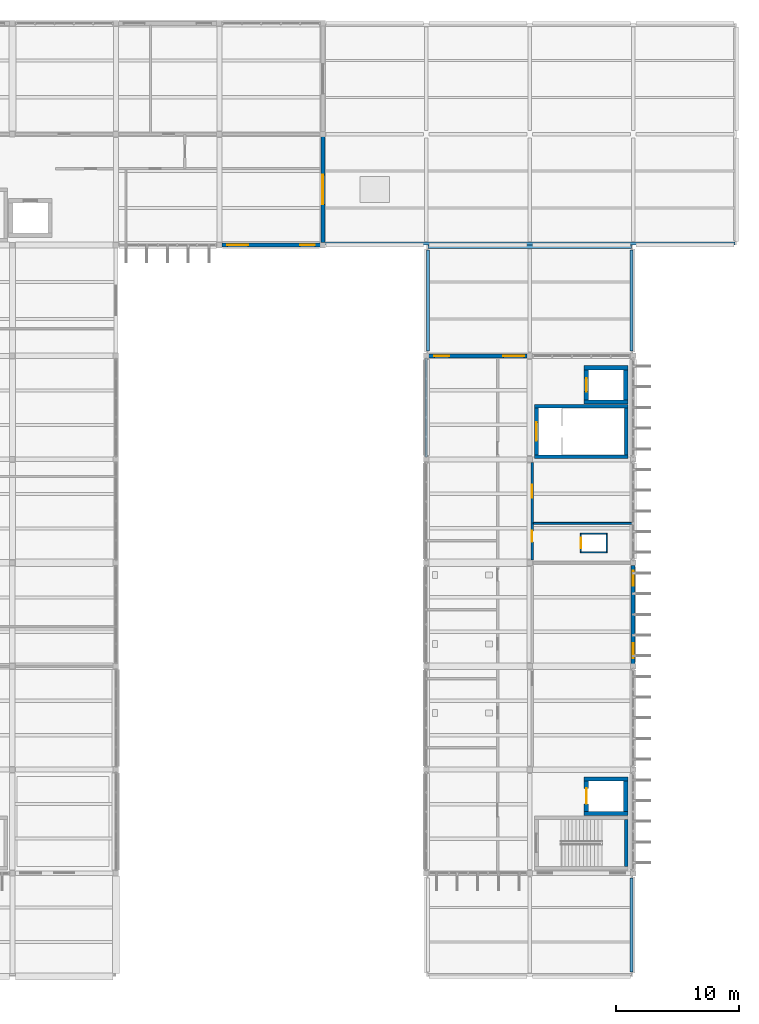
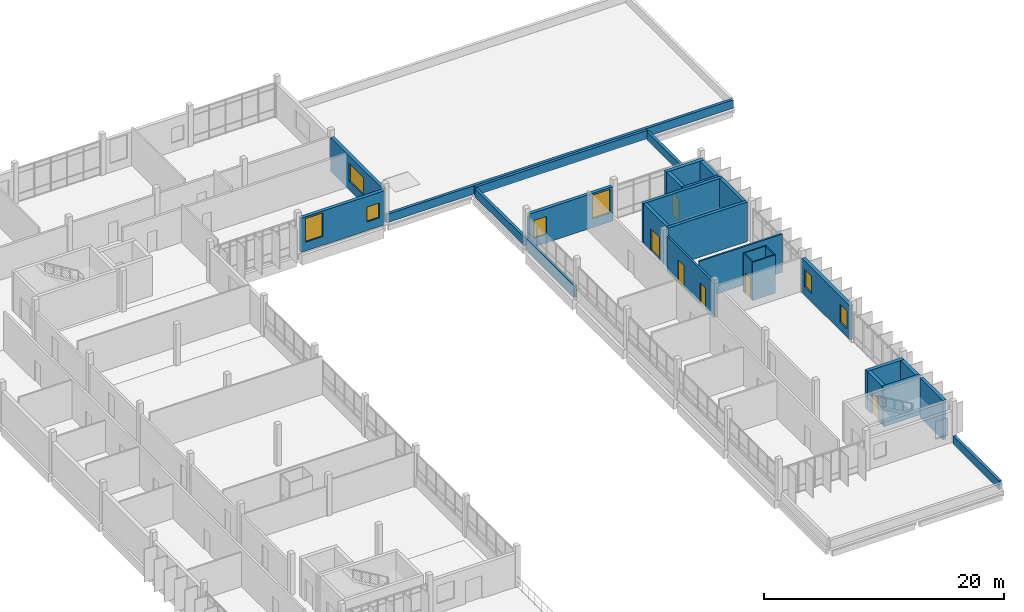
# One storey, part 53 of 62: 29 walls, 7 windows, 6 doors, 13 openings.
"""IFC4 building model written with IfcOpenShell, lengths in metres."""

import ifcopenshell
import ifcopenshell.guid

model = None  # the IFC model being written
_history = None  # IfcOwnerHistory: only IFC2X3 demands one
_inside = {}  # id of a spatial element -> (the spatial element, [elements in it])
_under = {}  # id of a project, library or spatial element -> (it, [spatial elements below it])
_declared = {}  # id of a project -> (the project, [libraries it declares])
_typed = {}  # id of a type object -> (the type object, [elements of that type])
_made_of = {}  # id of a material, layer set ... -> (it, [elements and type objects made of it])


def new_model(schema):
    """Start an empty IFC model of exactly this schema.

    Asked for "IFC4X3", IfcOpenShell would pick the latest addendum, in which some entities
    have other attributes; the version numbers below select the first issue.
    IFC2X3 requires an IfcOwnerHistory on every rooted entity: one is made here for all.
    """
    global model, _history
    if schema == "IFC4X3":
        model = ifcopenshell.file(schema_version=(4, 3, 0, 0))
    else:
        model = ifcopenshell.file(schema=schema)
    _inside.clear()
    _under.clear()
    _declared.clear()
    _typed.clear()
    _made_of.clear()
    _history = None
    if model.schema == "IFC2X3":
        org = make("IfcOrganization", Name="unknown")
        user = make(
            "IfcPersonAndOrganization",
            ThePerson=make("IfcPerson", FamilyName="unknown"),
            TheOrganization=org,
        )
        app = make(
            "IfcApplication",
            ApplicationDeveloper=org,
            Version="unknown",
            ApplicationFullName="unknown",
            ApplicationIdentifier="unknown",
        )
        _history = make(
            "IfcOwnerHistory",
            OwningUser=user,
            OwningApplication=app,
            ChangeAction="ADDED",
            CreationDate=0,
        )
    return model


def make(cls, **values):
    """One entity of the class cls with the attributes given. An attribute that is None is left unset."""
    return model.create_entity(
        cls, **{name: value for name, value in values.items() if value is not None}
    )


def rooted(cls, **values):
    """An entity with a GlobalId (a new one), such as an element, a storey or a relation."""
    return make(cls, GlobalId=ifcopenshell.guid.new(), OwnerHistory=_history, **values)


def si_unit(unit_type, name, prefix=None):
    """IfcSIUnit, for example si_unit("LENGTHUNIT", "METRE", prefix="MILLI")."""
    return make("IfcSIUnit", UnitType=unit_type, Prefix=prefix, Name=name)


def assignment(units):
    """IfcUnitAssignment: the units of a project."""
    return None if units is None else make("IfcUnitAssignment", Units=units)


def point(xyz):
    """IfcCartesianPoint."""
    return None if xyz is None else make("IfcCartesianPoint", Coordinates=xyz)


def direction(xyz):
    """IfcDirection."""
    return None if xyz is None else make("IfcDirection", DirectionRatios=xyz)


def frame(location, z_axis=None, x_axis=None):
    """IfcAxis2Placement3D, a coordinate frame: its origin and axes. An axis left out is left unset."""
    return make(
        "IfcAxis2Placement3D",
        Location=point(location),
        Axis=direction(z_axis),
        RefDirection=direction(x_axis),
    )


def frame_2d(location, x_axis=None):
    """IfcAxis2Placement2D, a coordinate frame in the plane: its origin and x axis."""
    return make(
        "IfcAxis2Placement2D", Location=point(location), RefDirection=direction(x_axis)
    )


def origin():
    """The frame at (0, 0, 0) with its axes left unset."""
    return frame((0.0, 0.0, 0.0))


def place(relative_to, where):
    """IfcLocalPlacement: puts the frame where relative to a parent placement (None: the world)."""
    return make(
        "IfcLocalPlacement", PlacementRelTo=relative_to, RelativePlacement=where
    )


def context(
    kind, dimensions, precision=None, world=None, true_north=None, identifier=None
):
    """IfcGeometricRepresentationContext, for example the 3D "Model" context."""
    return make(
        "IfcGeometricRepresentationContext",
        ContextIdentifier=identifier,
        ContextType=kind,
        CoordinateSpaceDimension=dimensions,
        Precision=precision,
        WorldCoordinateSystem=world,
        TrueNorth=true_north,
    )


def subcontext(parent, identifier, kind, view, scale=None):
    """IfcGeometricRepresentationSubContext, for example "Body" below "Model"."""
    return make(
        "IfcGeometricRepresentationSubContext",
        ContextIdentifier=identifier,
        ContextType=kind,
        ParentContext=parent,
        TargetScale=scale,
        TargetView=view,
    )


def project(units=None, contexts=None):
    """IfcProject with its units and contexts."""
    return rooted(
        "IfcProject",
        Name="project",
        RepresentationContexts=contexts,
        UnitsInContext=assignment(units),
    )


def spatial(cls, under=None, at=None, **own):
    """A site, building, storey or space (cls), placed at a placement, below another one or the project."""
    s = rooted(cls, ObjectPlacement=at, **own)
    if under is not None:
        _under.setdefault(under.id(), (under, []))[1].append(s)
    return s


def profile(cls, at=None, kind="AREA", **sizes):
    """A parametric profile (cls). Its sizes go by their IFC names, for example OverallWidth=200.0."""
    return make(cls, ProfileType=kind, Position=at, **sizes)


def rectangle(**sizes):
    """IfcRectangleProfileDef."""
    return profile("IfcRectangleProfileDef", **sizes)


def extrude(swept, where, along, depth):
    """IfcExtrudedAreaSolid: the profile swept, set in the frame where, extruded along a direction by depth."""
    return make(
        "IfcExtrudedAreaSolid",
        SweptArea=swept,
        Position=where,
        ExtrudedDirection=direction(along),
        Depth=depth,
    )


def shape(context_of_items, identifier, shape_type, items):
    """IfcShapeRepresentation: the items that make up one representation, for example the "Body"."""
    return make(
        "IfcShapeRepresentation",
        ContextOfItems=context_of_items,
        RepresentationIdentifier=identifier,
        RepresentationType=shape_type,
        Items=items,
    )


def material(Name=None, Category=None):
    """IfcMaterial."""
    return make("IfcMaterial", Name=Name, Category=Category)


def layer(
    of_material, thickness, ventilated=None, Name=None, Category=None, Priority=None
):
    """IfcMaterialLayer: one layer of a wall or slab, of a material (None: an air gap)."""
    return make(
        "IfcMaterialLayer",
        Material=of_material,
        LayerThickness=thickness,
        IsVentilated=ventilated,
        Name=Name,
        Category=Category,
        Priority=Priority,
    )


def layer_set(layers, Name=None):
    """IfcMaterialLayerSet."""
    return make("IfcMaterialLayerSet", MaterialLayers=layers, LayerSetName=Name)


def made_of(thing, what):
    """Note that an element or type object is made of a material, layer set ...; save() writes the relation."""
    if what is not None:
        _made_of.setdefault(what.id(), (what, []))[1].append(thing)
    return thing


def type_object(cls, material=None, **own):
    """A type object (cls), such as IfcWallType, which elements share."""
    return made_of(rooted(cls, **own), material)


def element(
    cls,
    number,
    at=None,
    inside=None,
    cuts=None,
    type_object=None,
    material=None,
    context=None,
    identifier="Body",
    shape_type=None,
    held_by="IfcProductDefinitionShape",
    body=None,
    shapes=None,
    **own,
):
    """One element of the class cls, such as IfcWall. Its Tag is "e" and its number.

    at: its placement. inside: the storey or other place that contains it. cuts: it is an
    opening in that element (IfcRelVoidsElement). A single representation is given by context,
    identifier, shape_type and body (its items); several are given by shapes. held_by: the class
    of the entity that holds the representations. save() writes the other relations.
    """
    e = rooted(cls, Tag="e%d" % number, ObjectPlacement=at, **own)
    if body is not None:
        shapes = [shape(context, identifier, shape_type, body)]
    if shapes is not None:
        e.Representation = make(held_by, Representations=shapes)
    if inside is not None:
        _inside.setdefault(inside.id(), (inside, []))[1].append(e)
    if cuts is not None:
        rooted(
            "IfcRelVoidsElement", RelatingBuildingElement=cuts, RelatedOpeningElement=e
        )
    if type_object is not None:
        _typed.setdefault(type_object.id(), (type_object, []))[1].append(e)
    return made_of(e, material)


def fill(opening, filler):
    """IfcRelFillsElement: the door or window that sits in an opening."""
    return rooted(
        "IfcRelFillsElement",
        RelatingOpeningElement=opening,
        RelatedBuildingElement=filler,
    )


def aggregate(whole, parts):
    """IfcRelAggregates: a whole, such as a stair, and the parts it consists of."""
    return rooted("IfcRelAggregates", RelatingObject=whole, RelatedObjects=parts)


def save(model, path):
    """Write the relations noted so far, then the file.

    IfcRelAggregates (storeys below a building ...), IfcRelContainedInSpatialStructure (elements
    in a storey), IfcRelDefinesByType, IfcRelAssociatesMaterial and IfcRelDeclares: one each for
    every whole, place, type object, material and project.
    """
    for whole, parts in _under.values():
        aggregate(whole, parts)
    for where, things in _inside.values():
        rooted(
            "IfcRelContainedInSpatialStructure",
            RelatedElements=things,
            RelatingStructure=where,
        )
    for kind, things in _typed.values():
        rooted("IfcRelDefinesByType", RelatedObjects=things, RelatingType=kind)
    for what, things in _made_of.values():
        rooted("IfcRelAssociatesMaterial", RelatedObjects=things, RelatingMaterial=what)
    for by, libraries in _declared.values():
        rooted("IfcRelDeclares", RelatingContext=by, RelatedDefinitions=libraries)
    model.write(path)


model = new_model("IFC4")

# Units and contexts
model_context = context("Model", 3, precision=1e-05, world=origin(), true_north=direction((0.0, 1.0)))
body_context = subcontext(model_context, "Body", "Model", "MODEL_VIEW")
ifc_project = project(units=[si_unit("LENGTHUNIT", "METRE"), si_unit("AREAUNIT", "SQUARE_METRE"), si_unit("VOLUMEUNIT", "CUBIC_METRE"), si_unit("PLANEANGLEUNIT", "RADIAN"), si_unit("MASSUNIT", "GRAM", prefix="KILO")], contexts=[model_context])

# Site, building, storey
site_placement = place(None, origin())
site = spatial("IfcSite", under=ifc_project, at=site_placement, CompositionType="ELEMENT")
building_placement = place(site_placement, origin())
building = spatial("IfcBuilding", under=site, at=building_placement, Name="Vireocrest Preparatory School", CompositionType="ELEMENT")
storey_placement = place(building_placement, frame((0.0, 0.0, 17.39990234375)))
storey = spatial("IfcBuildingStorey", under=building, at=storey_placement, Name="L04", CompositionType="ELEMENT", Elevation=17.39990234375)

# Wall, openings, doors
ifc_material_1 = material(Name="Gypsum board on cold-formed steel studs", Category="steel")
ifc_layer_1 = layer(ifc_material_1, 0.199951171875)
ifc_layer_set_1 = layer_set([ifc_layer_1], Name="Gypsum board on cold-formed steel studs")
wall_type_1 = type_object("IfcWallType", Name="Corridor One-Hour Fire Partition 200", PredefinedType="PARTITIONING", material=ifc_layer_set_1)
wall_1_placement = place(storey_placement, frame((101.0, 69.235107421875, 0.0), z_axis=(0.0, 0.0, 1.0), x_axis=(0.0, 1.0, 0.0)))
wall_1 = element("IfcWall", 1, at=wall_1_placement, inside=storey, type_object=wall_type_1, Name="Interior Partition W06 IW_L04_0325", PredefinedType="PARTITIONING", context=body_context, shape_type="SweptSolid", body=[
    extrude(rectangle(XDim=7.929931640625, YDim=0.199951171875, at=frame_2d((3.96484375, 0.0))), origin(), (0.0, 0.0, 1.0), 3.47998046875),
])
opening_1_placement = place(wall_1_placement, frame((1.465087890625, 0.0, 0.0)))
opening_1 = element("IfcOpeningElement", 2, at=opening_1_placement, cuts=wall_1, Name="Opening D-L04-E4E02", PredefinedType="OPENING", context=body_context, shape_type="SweptSolid", body=[
    extrude(rectangle(XDim=0.89990234375, YDim=2.10009765625, at=frame_2d((0.449951171875, 1.050048828125))), frame((0.0, 0.10986328125, 0.0), z_axis=(0.0, -1.0, 0.0), x_axis=(1.0, 0.0, 0.0)), (0.0, 0.0, 1.0), 0.219970703125),
])
opening_2_placement = place(wall_1_placement, frame((5.0400390625, 0.0, 0.0)))
opening_2 = element("IfcOpeningElement", 3, at=opening_2_placement, cuts=wall_1, Name="Opening D-L04-E4E03", PredefinedType="OPENING", context=body_context, shape_type="SweptSolid", body=[
    extrude(rectangle(XDim=1.050048828125, YDim=2.199951171875, at=frame_2d((0.52490234375, 1.10009765625))), frame((0.0, 0.10986328125, 0.0), z_axis=(0.0, -1.0, 0.0), x_axis=(1.0, 0.0, 0.0)), (0.0, 0.0, 1.0), 0.219970703125),
])
ifc_material_2 = material(Name="Painted galvanized hollow steel", Category="steel")
door_type_1 = type_object("IfcDoorType", Name="Laboratory Fire Door 1050x2200", OperationType="NOTDEFINED", PredefinedType="DOOR", material=ifc_material_2)
door_1_placement = place(opening_2_placement, origin())
door_1 = element("IfcDoor", 4, at=door_1_placement, inside=storey, type_object=door_type_1, Name="Interior Door D-L04-E4E03", OperationType="SINGLE_SWING_RIGHT", OverallHeight=2.199951171875, OverallWidth=1.050048828125, PredefinedType="DOOR", context=body_context, shape_type="SweptSolid", body=[
    extrude(rectangle(XDim=1.050048828125, YDim=2.199951171875, at=frame_2d((0.52490234375, 1.10009765625))), frame((0.0, 0.02490234375, 0.0), z_axis=(0.0, -1.0, 0.0), x_axis=(1.0, 0.0, 0.0)), (0.0, 0.0, 1.0), 0.050048828125),
])
fill(opening_2, door_1)
ifc_material_3 = material(Name="Solid-core architectural birch timber", Category="wood")
door_type_2 = type_object("IfcDoorType", Name="Office Timber Door 900x2100", OperationType="NOTDEFINED", PredefinedType="DOOR", material=ifc_material_3)
door_2_placement = place(opening_1_placement, origin())
door_2 = element("IfcDoor", 5, at=door_2_placement, inside=storey, type_object=door_type_2, Name="Interior Door D-L04-E4E02", OperationType="SINGLE_SWING_LEFT", OverallHeight=2.10009765625, OverallWidth=0.89990234375, PredefinedType="DOOR", context=body_context, shape_type="SweptSolid", body=[
    extrude(rectangle(XDim=0.89990234375, YDim=2.10009765625, at=frame_2d((0.449951171875, 1.050048828125))), frame((0.0, 0.02490234375, 0.0), z_axis=(0.0, -1.0, 0.0), x_axis=(1.0, 0.0, 0.0)), (0.0, 0.0, 1.0), 0.050048828125),
])
fill(opening_1, door_2)

# Wall, openings, windows
ifc_material_4 = material(Name="Precast white concrete 40 MPa", Category="concrete")
ifc_layer_2 = layer(ifc_material_4, 0.320068359375)
ifc_layer_set_2 = layer_set([ifc_layer_2], Name="Precast white concrete 40 MPa")
wall_type_2 = type_object("IfcWallType", Name="High-Tech Insulated Rainscreen External Wall 320", PredefinedType="SOLIDWALL", material=ifc_layer_set_2)
wall_2_placement = place(storey_placement, frame((75.800048828125, 94.800048828125, 0.0), z_axis=(0.0, 0.0, 1.0), x_axis=(1.0, 0.0, 0.0)))
wall_2 = element("IfcWall", 6, at=wall_2_placement, inside=storey, type_object=wall_type_2, Name="External Wall W12 EW_L04_0357", PredefinedType="SOLIDWALL", context=body_context, shape_type="SweptSolid", body=[
    extrude(rectangle(XDim=8.0, YDim=0.320068359375, at=frame_2d((4.0, 0.0))), origin(), (0.0, 0.0, 1.0), 3.47998046875),
])
opening_3_placement = place(wall_2_placement, frame((0.449951171875, 0.0, 0.89990234375)))
opening_3 = element("IfcOpeningElement", 7, at=opening_3_placement, cuts=wall_2, Name="Opening WN07", PredefinedType="OPENING", context=body_context, shape_type="SweptSolid", body=[
    extrude(rectangle(XDim=1.679931640625, YDim=2.39990234375, at=frame_2d((0.83984375, 1.199951171875))), frame((0.0, 0.169921875, 0.0), z_axis=(0.0, -1.0, 0.0), x_axis=(1.0, 0.0, 0.0)), (0.0, 0.0, 1.0), 0.340087890625),
])
opening_4_placement = place(wall_2_placement, frame((6.35009765625, 0.0, 0.89990234375)))
opening_4 = element("IfcOpeningElement", 8, at=opening_4_placement, cuts=wall_2, Name="Opening WN01", PredefinedType="OPENING", context=body_context, shape_type="SweptSolid", body=[
    extrude(rectangle(XDim=1.199951171875, YDim=1.5, at=frame_2d((0.60009765625, 0.75))), frame((0.0, 0.169921875, 0.0), z_axis=(0.0, -1.0, 0.0), x_axis=(1.0, 0.0, 0.0)), (0.0, 0.0, 1.0), 0.340087890625),
])
ifc_material_5 = material(Name="Thermally broken aluminium EN AW-6063-T6", Category="aluminium")
window_type_1 = type_object("IfcWindowType", Name="Module Lab Window 1680x2400", PartitioningType="SINGLE_PANEL", PredefinedType="WINDOW", material=ifc_material_5)
window_1_placement = place(opening_3_placement, origin())
window_1 = element("IfcWindow", 9, at=window_1_placement, inside=storey, type_object=window_type_1, Name="Window W-L04-179 (WN07)", OverallHeight=2.39990234375, OverallWidth=1.679931640625, PartitioningType="SINGLE_PANEL", PredefinedType="WINDOW", context=body_context, shape_type="SweptSolid", body=[
    extrude(rectangle(XDim=1.679931640625, YDim=2.39990234375, at=frame_2d((0.83984375, 1.199951171875))), frame((0.0, 0.030029296875, 0.0), z_axis=(0.0, -1.0, 0.0), x_axis=(1.0, 0.0, 0.0)), (0.0, 0.0, 1.0), 0.06005859375),
])
fill(opening_3, window_1)
window_type_2 = type_object("IfcWindowType", Name="Office Punched Window 1200x1500", PartitioningType="SINGLE_PANEL", PredefinedType="WINDOW", material=ifc_material_5)
window_2_placement = place(opening_4_placement, origin())
window_2 = element("IfcWindow", 10, at=window_2_placement, inside=storey, type_object=window_type_2, Name="Window W-L04-180 (WN01)", OverallHeight=1.5, OverallWidth=1.199951171875, PartitioningType="SINGLE_PANEL", PredefinedType="WINDOW", context=body_context, shape_type="SweptSolid", body=[
    extrude(rectangle(XDim=1.199951171875, YDim=1.5, at=frame_2d((0.60009765625, 0.75))), frame((0.0, 0.030029296875, 0.0), z_axis=(0.0, -1.0, 0.0), x_axis=(1.0, 0.0, 0.0)), (0.0, 0.0, 1.0), 0.06005859375),
])
fill(opening_4, window_2)

# Wall, opening, window
wall_3_placement = place(storey_placement, frame((84.0, 95.0, 0.0), z_axis=(0.0, 0.0, 1.0), x_axis=(0.0, 1.0, 0.0)))
wall_3 = element("IfcWall", 11, at=wall_3_placement, inside=storey, type_object=wall_type_2, Name="External Wall W12 EW_L04_0358", PredefinedType="SOLIDWALL", context=body_context, shape_type="SweptSolid", body=[
    extrude(rectangle(XDim=8.60009765625, YDim=0.320068359375, at=frame_2d((4.300048828125, 0.0))), origin(), (0.0, 0.0, 1.0), 3.47998046875),
])
opening_5_placement = place(wall_3_placement, frame((3.10009765625, 0.0, 0.89990234375)))
opening_5 = element("IfcOpeningElement", 12, at=opening_5_placement, cuts=wall_3, Name="Opening WN12", PredefinedType="OPENING", context=body_context, shape_type="SweptSolid", body=[
    extrude(rectangle(XDim=2.39990234375, YDim=1.800048828125, at=frame_2d((1.199951171875, 0.89990234375))), frame((0.0, 0.169921875, 0.0), z_axis=(0.0, -1.0, 0.0), x_axis=(1.0, 0.0, 0.0)), (0.0, 0.0, 1.0), 0.340087890625),
])
window_type_3 = type_object("IfcWindowType", Name="Classroom Paired Window 2400x1800", PartitioningType="DOUBLE_PANEL_VERTICAL", PredefinedType="WINDOW", material=ifc_material_5)
window_3_placement = place(opening_5_placement, origin())
window_3 = element("IfcWindow", 13, at=window_3_placement, inside=storey, type_object=window_type_3, Name="Window W-L04-181 (WN12)", OverallHeight=1.800048828125, OverallWidth=2.39990234375, PartitioningType="SINGLE_PANEL", PredefinedType="WINDOW", context=body_context, shape_type="SweptSolid", body=[
    extrude(rectangle(XDim=2.39990234375, YDim=1.800048828125, at=frame_2d((1.199951171875, 0.89990234375))), frame((0.0, 0.030029296875, 0.0), z_axis=(0.0, -1.0, 0.0), x_axis=(1.0, 0.0, 0.0)), (0.0, 0.0, 1.0), 0.06005859375),
])
fill(opening_5, window_3)

# Wall, openings, windows
wall_4_placement = place(storey_placement, frame((109.199951171875, 60.800048828125, 0.0), z_axis=(0.0, 0.0, 1.0), x_axis=(0.0, 1.0, 0.0)))
wall_4 = element("IfcWall", 14, at=wall_4_placement, inside=storey, type_object=wall_type_2, Name="External Wall W12 EW_L04_0390", PredefinedType="SOLIDWALL", context=body_context, shape_type="SweptSolid", body=[
    extrude(rectangle(XDim=8.0, YDim=0.320068359375, at=frame_2d((4.0, 0.0))), origin(), (0.0, 0.0, 1.0), 3.47998046875),
])
opening_6_placement = place(wall_4_placement, frame((0.449951171875, 0.0, 0.85009765625)))
opening_6 = element("IfcOpeningElement", 15, at=opening_6_placement, cuts=wall_4, Name="Opening WN02", PredefinedType="OPENING", context=body_context, shape_type="SweptSolid", body=[
    extrude(rectangle(XDim=1.199951171875, YDim=1.800048828125, at=frame_2d((0.60009765625, 0.89990234375))), frame((0.0, 0.169921875, 0.0), z_axis=(0.0, -1.0, 0.0), x_axis=(1.0, 0.0, 0.0)), (0.0, 0.0, 1.0), 0.340087890625),
])
opening_7_placement = place(wall_4_placement, frame((6.35009765625, 0.0, 0.85009765625)))
opening_7 = element("IfcOpeningElement", 16, at=opening_7_placement, cuts=wall_4, Name="Opening WN02", PredefinedType="OPENING", context=body_context, shape_type="SweptSolid", body=[
    extrude(rectangle(XDim=1.199951171875, YDim=1.800048828125, at=frame_2d((0.60009765625, 0.89990234375))), frame((0.0, 0.169921875, 0.0), z_axis=(0.0, -1.0, 0.0), x_axis=(1.0, 0.0, 0.0)), (0.0, 0.0, 1.0), 0.340087890625),
])
window_type_4 = type_object("IfcWindowType", Name="Counseling Window 1200x1800", PartitioningType="SINGLE_PANEL", PredefinedType="WINDOW", material=ifc_material_5)
window_4_placement = place(opening_6_placement, origin())
window_4 = element("IfcWindow", 17, at=window_4_placement, inside=storey, type_object=window_type_4, Name="Window W-L04-194 (WN02)", OverallHeight=1.800048828125, OverallWidth=1.199951171875, PartitioningType="SINGLE_PANEL", PredefinedType="WINDOW", context=body_context, shape_type="SweptSolid", body=[
    extrude(rectangle(XDim=1.199951171875, YDim=1.800048828125, at=frame_2d((0.60009765625, 0.89990234375))), frame((0.0, 0.030029296875, 0.0), z_axis=(0.0, -1.0, 0.0), x_axis=(1.0, 0.0, 0.0)), (0.0, 0.0, 1.0), 0.06005859375),
])
fill(opening_6, window_4)
window_5_placement = place(opening_7_placement, origin())
window_5 = element("IfcWindow", 18, at=window_5_placement, inside=storey, type_object=window_type_4, Name="Window W-L04-195 (WN02)", OverallHeight=1.800048828125, OverallWidth=1.199951171875, PartitioningType="SINGLE_PANEL", PredefinedType="WINDOW", context=body_context, shape_type="SweptSolid", body=[
    extrude(rectangle(XDim=1.199951171875, YDim=1.800048828125, at=frame_2d((0.60009765625, 0.89990234375))), frame((0.0, 0.030029296875, 0.0), z_axis=(0.0, -1.0, 0.0), x_axis=(1.0, 0.0, 0.0)), (0.0, 0.0, 1.0), 0.06005859375),
])
fill(opening_7, window_5)

wall_5_placement = place(storey_placement, frame((92.60009765625, 85.800048828125, 0.0), z_axis=(0.0, 0.0, 1.0), x_axis=(1.0, 0.0, 0.0)))
wall_5 = element("IfcWall", 19, at=wall_5_placement, inside=storey, type_object=wall_type_2, Name="External Wall W12 EW_L04_0393", PredefinedType="SOLIDWALL", context=body_context, shape_type="SweptSolid", body=[
    extrude(rectangle(XDim=8.0, YDim=0.320068359375, at=frame_2d((4.0, 0.0))), origin(), (0.0, 0.0, 1.0), 3.47998046875),
])
opening_8_placement = place(wall_5_placement, frame((0.449951171875, 0.0, 0.89990234375)))
opening_8 = element("IfcOpeningElement", 20, at=opening_8_placement, cuts=wall_5, Name="Opening WN02", PredefinedType="OPENING", context=body_context, shape_type="SweptSolid", body=[
    extrude(rectangle(XDim=1.199951171875, YDim=1.800048828125, at=frame_2d((0.60009765625, 0.89990234375))), frame((0.0, 0.169921875, 0.0), z_axis=(0.0, -1.0, 0.0), x_axis=(1.0, 0.0, 0.0)), (0.0, 0.0, 1.0), 0.340087890625),
])
opening_9_placement = place(wall_5_placement, frame((6.070068359375, 0.0, 0.89990234375)))
opening_9 = element("IfcOpeningElement", 21, at=opening_9_placement, cuts=wall_5, Name="Opening WN07", PredefinedType="OPENING", context=body_context, shape_type="SweptSolid", body=[
    extrude(rectangle(XDim=1.679931640625, YDim=2.39990234375, at=frame_2d((0.83984375, 1.199951171875))), frame((0.0, 0.169921875, 0.0), z_axis=(0.0, -1.0, 0.0), x_axis=(1.0, 0.0, 0.0)), (0.0, 0.0, 1.0), 0.340087890625),
])
window_6_placement = place(opening_8_placement, origin())
window_6 = element("IfcWindow", 22, at=window_6_placement, inside=storey, type_object=window_type_4, Name="Window W-L04-196 (WN02)", OverallHeight=1.800048828125, OverallWidth=1.199951171875, PartitioningType="SINGLE_PANEL", PredefinedType="WINDOW", context=body_context, shape_type="SweptSolid", body=[
    extrude(rectangle(XDim=1.199951171875, YDim=1.800048828125, at=frame_2d((0.60009765625, 0.89990234375))), frame((0.0, 0.030029296875, 0.0), z_axis=(0.0, -1.0, 0.0), x_axis=(1.0, 0.0, 0.0)), (0.0, 0.0, 1.0), 0.06005859375),
])
fill(opening_8, window_6)
window_7_placement = place(opening_9_placement, origin())
window_7 = element("IfcWindow", 23, at=window_7_placement, inside=storey, type_object=window_type_1, Name="Window W-L04-197 (WN07)", OverallHeight=2.39990234375, OverallWidth=1.679931640625, PartitioningType="SINGLE_PANEL", PredefinedType="WINDOW", context=body_context, shape_type="SweptSolid", body=[
    extrude(rectangle(XDim=1.679931640625, YDim=2.39990234375, at=frame_2d((0.83984375, 1.199951171875))), frame((0.0, 0.030029296875, 0.0), z_axis=(0.0, -1.0, 0.0), x_axis=(1.0, 0.0, 0.0)), (0.0, 0.0, 1.0), 0.06005859375),
])
fill(opening_9, window_7)

# Walls
ifc_layer_3 = layer(ifc_material_4, 0.260009765625)
ifc_layer_set_3 = layer_set([ifc_layer_3], Name="Precast white concrete 40 MPa")
wall_type_3 = type_object("IfcWallType", Name="Insulated Roof Parapet Wall 260", PredefinedType="PARAPET", material=ifc_layer_set_3)
wall_6_placement = place(storey_placement, frame((109.070068359375, 35.7900390625, 0.0), z_axis=(0.0, 0.0, 1.0), x_axis=(0.0, 1.0, 0.0)))
element("IfcWall", 24, at=wall_6_placement, inside=storey, type_object=wall_type_3, Name="Roof Parapet W09 L04_EAST_SETBACK_ROOF-19", PredefinedType="PARAPET", context=body_context, shape_type="SweptSolid", body=[
    extrude(rectangle(XDim=7.619873046875, YDim=0.260009765625, at=frame_2d((3.81005859375, 0.0))), origin(), (0.0, 0.0, 1.0), 0.85009765625),
])
wall_7_placement = place(storey_placement, frame((92.530029296875, 94.669921875, 0.0), z_axis=(0.0, 0.0, 1.0), x_axis=(1.0, 0.0, 0.0)))
element("IfcWall", 25, at=wall_7_placement, inside=storey, type_object=wall_type_3, Name="Roof Parapet W09 L04_EAST_NORTH_ROOF-20", PredefinedType="PARAPET", context=body_context, shape_type="SweptSolid", body=[
    extrude(rectangle(XDim=16.5400390625, YDim=0.260009765625, at=frame_2d((8.27001953125, 0.0))), origin(), (0.0, 0.0, 1.0), 0.85009765625),
])
for number, where, z_axis, x_axis, name in (
    (26, (92.530029296875, 86.18994140625, 0.0), (0.0, 0.0, 1.0), (0.0, 1.0, 0.0), "Roof Parapet W09 L04_EAST_NORTH_ROOF-21"),
    (27, (109.070068359375, 86.18994140625, 0.0), (0.0, 0.0, 1.0), (0.0, 1.0, 0.0), "Roof Parapet W09 L04_EAST_NORTH_ROOF-22"),
):
    element("IfcWall", number, at=place(storey_placement, frame(where, z_axis=z_axis, x_axis=x_axis)), inside=storey, type_object=wall_type_3, Name=name, PredefinedType="PARAPET", context=body_context, shape_type="SweptSolid", body=[
        extrude(rectangle(XDim=8.219970703125, YDim=0.260009765625, at=frame_2d((4.10986328125, 0.0))), origin(), (0.0, 0.0, 1.0), 0.85009765625),
    ])
wall_8_placement = place(storey_placement, frame((84.1298828125, 94.929931640625, 0.0), z_axis=(0.0, 0.0, 1.0), x_axis=(1.0, 0.0, 0.0)))
element("IfcWall", 28, at=wall_8_placement, inside=storey, type_object=wall_type_3, Name="Roof Parapet W09 L04_NORTH_EAST_ROOF-23", PredefinedType="PARAPET", context=body_context, shape_type="SweptSolid", body=[
    extrude(rectangle(XDim=33.340087890625, YDim=0.260009765625, at=frame_2d((16.669921875, 0.0))), origin(), (0.0, 0.0, 1.0), 0.85009765625),
])
ifc_layer_4 = layer(ifc_material_1, 0.159912109375)
ifc_layer_set_4 = layer_set([ifc_layer_4], Name="Gypsum board on cold-formed steel studs")
wall_type_4 = type_object("IfcWallType", Name="Laboratory Wet-Service Partition Wall 160", PredefinedType="PARTITIONING", material=ifc_layer_set_4)
wall_9_placement = place(storey_placement, frame((101.10498046875, 72.199951171875, 0.0), z_axis=(0.0, 0.0, 1.0), x_axis=(1.0, 0.0, 0.0)))
element("IfcWall", 29, at=wall_9_placement, inside=storey, type_object=wall_type_4, Name="Interior Partition W04 IW_L04_0322", PredefinedType="PARTITIONING", context=body_context, shape_type="SweptSolid", body=[
    extrude(rectangle(XDim=7.989990234375, YDim=0.159912109375, at=frame_2d((3.9951171875, 0.0))), origin(), (0.0, 0.0, 1.0), 3.900146484375),
])
ifc_layer_5 = layer(ifc_material_1, 0.10009765625)
ifc_layer_set_5 = layer_set([ifc_layer_5], Name="Gypsum board on cold-formed steel studs")
wall_type_5 = type_object("IfcWallType", Name="Riser Shaft Lining Wall 100", PredefinedType="PARTITIONING", material=ifc_layer_set_5)
for number, where, z_axis, x_axis, name in (
    (30, (104.89990234375, 69.85009765625, 0.0), (0.0, 0.0, 1.0), (1.0, 0.0, 0.0), "MEP Riser Shaft Wall W01 EAST_MEP-L04-S"),
    (31, (104.89990234375, 71.35009765625, 0.0), (0.0, 0.0, 1.0), (1.0, 0.0, 0.0), "MEP Riser Shaft Wall W01 EAST_MEP-L04-N"),
):
    element("IfcWall", number, at=place(storey_placement, frame(where, z_axis=z_axis, x_axis=x_axis)), inside=storey, type_object=wall_type_5, Name=name, PredefinedType="PARTITIONING", context=body_context, shape_type="SweptSolid", body=[
        extrude(rectangle(XDim=2.2001953125, YDim=0.10009765625, at=frame_2d((1.10009765625, 0.0))), origin(), (0.0, 0.0, 1.0), 3.900146484375),
    ])

# Wall, opening, door
wall_10_placement = place(storey_placement, frame((104.949951171875, 69.89990234375, 0.0), z_axis=(0.0, 0.0, 1.0), x_axis=(0.0, 1.0, 0.0)))
wall_10 = element("IfcWall", 32, at=wall_10_placement, inside=storey, type_object=wall_type_5, Name="MEP Riser Shaft Wall W01 EAST_MEP-L04-W", PredefinedType="PARTITIONING", context=body_context, shape_type="SweptSolid", body=[
    extrude(rectangle(XDim=1.400146484375, YDim=0.10009765625, at=frame_2d((0.7001953125, 0.0))), origin(), (0.0, 0.0, 1.0), 3.900146484375),
])
opening_10_placement = place(wall_10_placement, frame((0.27490234375, 0.0, 0.0)))
opening_10 = element("IfcOpeningElement", 33, at=opening_10_placement, cuts=wall_10, Name="Opening D-L04-RSE", PredefinedType="OPENING", context=body_context, shape_type="SweptSolid", body=[
    extrude(rectangle(XDim=0.85009765625, YDim=2.050048828125, at=frame_2d((0.425048828125, 1.02490234375))), frame((0.0, 0.06005859375, 0.0), z_axis=(0.0, -1.0, 0.0), x_axis=(1.0, 0.0, 0.0)), (0.0, 0.0, 1.0), 0.1201171875),
])
door_type_3 = type_object("IfcDoorType", Name="Riser Access Steel Door 850x2050", OperationType="NOTDEFINED", PredefinedType="DOOR", material=ifc_material_2)
door_3_placement = place(opening_10_placement, origin())
door_3 = element("IfcDoor", 34, at=door_3_placement, inside=storey, type_object=door_type_3, Name="Riser Shaft Access Door D-L04-RSE", OperationType="SINGLE_SWING_LEFT", OverallHeight=2.050048828125, OverallWidth=0.85009765625, PredefinedType="DOOR", context=body_context, shape_type="SweptSolid", body=[
    extrude(rectangle(XDim=0.85009765625, YDim=2.050048828125, at=frame_2d((0.425048828125, 1.02490234375))), frame((0.0, 0.02490234375, 0.0), z_axis=(0.0, -1.0, 0.0), x_axis=(1.0, 0.0, 0.0)), (0.0, 0.0, 1.0), 0.050048828125),
])
fill(opening_10, door_3)

# Walls
wall_11_placement = place(storey_placement, frame((107.050048828125, 69.89990234375, 0.0), z_axis=(0.0, 0.0, 1.0), x_axis=(0.0, 1.0, 0.0)))
element("IfcWall", 35, at=wall_11_placement, inside=storey, type_object=wall_type_5, Name="MEP Riser Shaft Wall W01 EAST_MEP-L04-E", PredefinedType="PARTITIONING", context=body_context, shape_type="SweptSolid", body=[
    extrude(rectangle(XDim=1.400146484375, YDim=0.10009765625, at=frame_2d((0.7001953125, 0.0))), origin(), (0.0, 0.0, 1.0), 3.900146484375),
])
ifc_material_6 = material(Name="Concrete 45 MPa", Category="concrete")
ifc_layer_6 = layer(ifc_material_6, 0.35009765625)
ifc_layer_set_6 = layer_set([ifc_layer_6], Name="Concrete 45 MPa")
wall_type_6 = type_object("IfcWallType", Name="Two-Hour RC Lift Core Shear Wall 350", PredefinedType="SHEAR", material=ifc_layer_set_6)
for number, where, z_axis, x_axis, name in (
    (36, (105.22509765625, 48.64990234375, 0.0), (0.0, 0.0, 1.0), (1.0, 0.0, 0.0), "Lift Core Shear Wall LF2 L04-S"),
    (37, (105.22509765625, 51.449951171875, 0.0), (0.0, 0.0, 1.0), (1.0, 0.0, 0.0), "Lift Core Shear Wall LF2 L04-N"),
):
    element("IfcWall", number, at=place(storey_placement, frame(where, z_axis=z_axis, x_axis=x_axis)), inside=storey, type_object=wall_type_6, Name=name, PredefinedType="SHEAR", context=body_context, shape_type="SweptSolid", body=[
        extrude(rectangle(XDim=3.5498046875, YDim=0.35009765625, at=frame_2d((1.77490234375, 0.0))), origin(), (0.0, 0.0, 1.0), 3.920166015625),
    ])

# Wall, opening, door
wall_12_placement = place(storey_placement, frame((105.39990234375, 48.824951171875, 0.0), z_axis=(0.0, 0.0, 1.0), x_axis=(0.0, 1.0, 0.0)))
wall_12 = element("IfcWall", 38, at=wall_12_placement, inside=storey, type_object=wall_type_6, Name="Lift Core Shear Wall LF2 L04-W", PredefinedType="SHEAR", context=body_context, shape_type="SweptSolid", body=[
    extrude(rectangle(XDim=2.449951171875, YDim=0.35009765625, at=frame_2d((1.22509765625, 0.0))), origin(), (0.0, 0.0, 1.0), 3.920166015625),
])
opening_11_placement = place(wall_12_placement, frame((0.60009765625, 0.0, 0.0)))
opening_11 = element("IfcOpeningElement", 39, at=opening_11_placement, cuts=wall_12, Name="Opening LD-LF2-L04", PredefinedType="OPENING", context=body_context, shape_type="SweptSolid", body=[
    extrude(rectangle(XDim=1.25, YDim=2.25, at=frame_2d((0.625, 1.125))), frame((0.0, 0.18505859375, 0.0), z_axis=(0.0, -1.0, 0.0), x_axis=(1.0, 0.0, 0.0)), (0.0, 0.0, 1.0), 0.3701171875),
])
door_type_4 = type_object("IfcDoorType", Name="Stretcher Lift Landing Sliding Door 1250x2250", OperationType="DOUBLE_DOOR_SLIDING", PredefinedType="DOOR", material=ifc_material_2)
door_4_placement = place(opening_11_placement, origin())
door_4 = element("IfcDoor", 40, at=door_4_placement, inside=storey, type_object=door_type_4, Name="Lift Landing Door LD-LF2-L04", OperationType="DOUBLE_DOOR_SLIDING", OverallHeight=2.25, OverallWidth=1.25, PredefinedType="DOOR", context=body_context, shape_type="SweptSolid", body=[
    extrude(rectangle(XDim=1.25, YDim=2.25, at=frame_2d((0.625, 1.125))), frame((0.0, 0.02490234375, 0.0), z_axis=(0.0, -1.0, 0.0), x_axis=(1.0, 0.0, 0.0)), (0.0, 0.0, 1.0), 0.050048828125),
])
fill(opening_11, door_4)

# Walls
wall_13_placement = place(storey_placement, frame((108.60009765625, 48.824951171875, 0.0), z_axis=(0.0, 0.0, 1.0), x_axis=(0.0, 1.0, 0.0)))
element("IfcWall", 41, at=wall_13_placement, inside=storey, type_object=wall_type_6, Name="Lift Core Shear Wall LF2 L04-E", PredefinedType="SHEAR", context=body_context, shape_type="SweptSolid", body=[
    extrude(rectangle(XDim=2.449951171875, YDim=0.35009765625, at=frame_2d((1.22509765625, 0.0))), origin(), (0.0, 0.0, 1.0), 3.920166015625),
])
for number, where, z_axis, x_axis, name in (
    (42, (105.22509765625, 82.050048828125, 0.0), (0.0, 0.0, 1.0), (1.0, 0.0, 0.0), "Lift Core Shear Wall LF4 L04-S"),
    (43, (105.22509765625, 84.85009765625, 0.0), (0.0, 0.0, 1.0), (1.0, 0.0, 0.0), "Lift Core Shear Wall LF4 L04-N"),
):
    element("IfcWall", number, at=place(storey_placement, frame(where, z_axis=z_axis, x_axis=x_axis)), inside=storey, type_object=wall_type_6, Name=name, PredefinedType="SHEAR", context=body_context, shape_type="SweptSolid", body=[
        extrude(rectangle(XDim=3.5498046875, YDim=0.35009765625, at=frame_2d((1.77490234375, 0.0))), origin(), (0.0, 0.0, 1.0), 3.920166015625),
    ])

# Wall, opening, door
wall_14_placement = place(storey_placement, frame((105.39990234375, 82.22509765625, 0.0), z_axis=(0.0, 0.0, 1.0), x_axis=(0.0, 1.0, 0.0)))
wall_14 = element("IfcWall", 44, at=wall_14_placement, inside=storey, type_object=wall_type_6, Name="Lift Core Shear Wall LF4 L04-W", PredefinedType="SHEAR", context=body_context, shape_type="SweptSolid", body=[
    extrude(rectangle(XDim=2.449951171875, YDim=0.35009765625, at=frame_2d((1.22509765625, 0.0))), origin(), (0.0, 0.0, 1.0), 3.920166015625),
])
opening_12_placement = place(wall_14_placement, frame((0.675048828125, 0.0, 0.0)))
opening_12 = element("IfcOpeningElement", 45, at=opening_12_placement, cuts=wall_14, Name="Opening LD-LF4-L04", PredefinedType="OPENING", context=body_context, shape_type="SweptSolid", body=[
    extrude(rectangle(XDim=1.10009765625, YDim=2.199951171875, at=frame_2d((0.550048828125, 1.10009765625))), frame((0.0, 0.18505859375, 0.0), z_axis=(0.0, -1.0, 0.0), x_axis=(1.0, 0.0, 0.0)), (0.0, 0.0, 1.0), 0.3701171875),
])
door_type_5 = type_object("IfcDoorType", Name="Lift Landing Sliding Door 1100x2200", OperationType="DOUBLE_DOOR_SLIDING", PredefinedType="DOOR", material=ifc_material_2)
door_5_placement = place(opening_12_placement, origin())
door_5 = element("IfcDoor", 46, at=door_5_placement, inside=storey, type_object=door_type_5, Name="Lift Landing Door LD-LF4-L04", OperationType="DOUBLE_DOOR_SLIDING", OverallHeight=2.199951171875, OverallWidth=1.10009765625, PredefinedType="DOOR", context=body_context, shape_type="SweptSolid", body=[
    extrude(rectangle(XDim=1.10009765625, YDim=2.199951171875, at=frame_2d((0.550048828125, 1.10009765625))), frame((0.0, 0.02490234375, 0.0), z_axis=(0.0, -1.0, 0.0), x_axis=(1.0, 0.0, 0.0)), (0.0, 0.0, 1.0), 0.050048828125),
])
fill(opening_12, door_5)

# Walls
wall_15_placement = place(storey_placement, frame((108.60009765625, 82.22509765625, 0.0), z_axis=(0.0, 0.0, 1.0), x_axis=(0.0, 1.0, 0.0)))
element("IfcWall", 47, at=wall_15_placement, inside=storey, type_object=wall_type_6, Name="Lift Core Shear Wall LF4 L04-E", PredefinedType="SHEAR", context=body_context, shape_type="SweptSolid", body=[
    extrude(rectangle(XDim=2.449951171875, YDim=0.35009765625, at=frame_2d((1.22509765625, 0.0))), origin(), (0.0, 0.0, 1.0), 3.920166015625),
])
ifc_layer_7 = layer(ifc_material_6, 0.300048828125)
ifc_layer_set_7 = layer_set([ifc_layer_7], Name="Concrete 45 MPa")
wall_type_7 = type_object("IfcWallType", Name="Two-Hour RC Stair Shaft Shear Wall 300", PredefinedType="SHEAR", material=ifc_layer_set_7)
wall_16_placement = place(storey_placement, frame((108.64990234375, 44.35009765625, 0.0), z_axis=(0.0, 0.0, 1.0), x_axis=(0.0, 1.0, 0.0)))
element("IfcWall", 48, at=wall_16_placement, inside=storey, type_object=wall_type_7, Name="Stair Core Shear Wall ST2 L04-E", PredefinedType="SHEAR", context=body_context, shape_type="SweptSolid", body=[
    extrude(rectangle(XDim=3.7998046875, YDim=0.300048828125, at=frame_2d((1.89990234375, 0.0))), origin(), (0.0, 0.0, 1.0), 4.025146484375),
])
for number, where, z_axis, x_axis, name in (
    (49, (101.199951171875, 77.60009765625, 0.0), (0.0, 0.0, 1.0), (1.0, 0.0, 0.0), "Stair Core Shear Wall ST4 L04-S"),
    (50, (101.199951171875, 81.699951171875, 0.0), (0.0, 0.0, 1.0), (1.0, 0.0, 0.0), "Stair Core Shear Wall ST4 L04-N"),
):
    element("IfcWall", number, at=place(storey_placement, frame(where, z_axis=z_axis, x_axis=x_axis)), inside=storey, type_object=wall_type_7, Name=name, PredefinedType="SHEAR", context=body_context, shape_type="SweptSolid", body=[
        extrude(rectangle(XDim=7.60009765625, YDim=0.300048828125, at=frame_2d((3.800048828125, 0.0))), origin(), (0.0, 0.0, 1.0), 4.025146484375),
    ])

# Wall, opening, door
wall_17_placement = place(storey_placement, frame((101.35009765625, 77.75, 0.0), z_axis=(0.0, 0.0, 1.0), x_axis=(0.0, 1.0, 0.0)))
wall_17 = element("IfcWall", 51, at=wall_17_placement, inside=storey, type_object=wall_type_7, Name="Stair Core Shear Wall ST4 L04-W", PredefinedType="SHEAR", context=body_context, shape_type="SweptSolid", body=[
    extrude(rectangle(XDim=3.800048828125, YDim=0.300048828125, at=frame_2d((1.89990234375, 0.0))), origin(), (0.0, 0.0, 1.0), 4.025146484375),
])
opening_13_placement = place(wall_17_placement, frame((1.14990234375, 0.0, 0.0)))
opening_13 = element("IfcOpeningElement", 52, at=opening_13_placement, cuts=wall_17, Name="Opening SD-ST4-L04", PredefinedType="OPENING", context=body_context, shape_type="SweptSolid", body=[
    extrude(rectangle(XDim=1.5, YDim=2.199951171875, at=frame_2d((0.75, 1.10009765625))), frame((0.0, 0.159912109375, 0.0), z_axis=(0.0, -1.0, 0.0), x_axis=(1.0, 0.0, 0.0)), (0.0, 0.0, 1.0), 0.320068359375),
])
door_type_6 = type_object("IfcDoorType", Name="Stair Enclosure Fire Door 1500x2200", OperationType="DOUBLE_DOOR_SINGLE_SWING", PredefinedType="DOOR", material=ifc_material_2)
door_6_placement = place(opening_13_placement, origin())
door_6 = element("IfcDoor", 53, at=door_6_placement, inside=storey, type_object=door_type_6, Name="Stair Enclosure Fire Door SD-ST4-L04", OperationType="DOUBLE_DOOR_SINGLE_SWING", OverallHeight=2.199951171875, OverallWidth=1.5, PredefinedType="DOOR", context=body_context, shape_type="SweptSolid", body=[
    extrude(rectangle(XDim=1.5, YDim=2.199951171875, at=frame_2d((0.75, 1.10009765625))), frame((0.0, 0.02490234375, 0.0), z_axis=(0.0, -1.0, 0.0), x_axis=(1.0, 0.0, 0.0)), (0.0, 0.0, 1.0), 0.050048828125),
])
fill(opening_13, door_6)

# Walls
wall_18_placement = place(storey_placement, frame((108.64990234375, 77.75, 0.0), z_axis=(0.0, 0.0, 1.0), x_axis=(0.0, 1.0, 0.0)))
element("IfcWall", 54, at=wall_18_placement, inside=storey, type_object=wall_type_7, Name="Stair Core Shear Wall ST4 L04-E", PredefinedType="SHEAR", context=body_context, shape_type="SweptSolid", body=[
    extrude(rectangle(XDim=3.800048828125, YDim=0.300048828125, at=frame_2d((1.89990234375, 0.0))), origin(), (0.0, 0.0, 1.0), 4.025146484375),
])
ifc_layer_8 = layer(ifc_material_4, 0.239990234375)
ifc_layer_set_8 = layer_set([ifc_layer_8], Name="Precast white concrete 40 MPa")
wall_type_8 = type_object("IfcWallType", Name="White Precast Courtyard Spandrel Wall 240", PredefinedType="SOLIDWALL", material=ifc_layer_set_8)
wall_19_placement = place(storey_placement, frame((92.39990234375, 77.60009765625, 0.0), z_axis=(0.0, 0.0, 1.0), x_axis=(0.0, 1.0, 0.0)))
element("IfcWall", 55, at=wall_19_placement, inside=storey, type_object=wall_type_8, Name="External Wall W08 EW_L04_0385", PredefinedType="SOLIDWALL", context=body_context, shape_type="SweptSolid", body=[
    extrude(rectangle(XDim=8.0, YDim=0.239990234375, at=frame_2d((4.0, 0.0))), origin(), (0.0, 0.0, 1.0), 1.150146484375),
])

save(model, "model.ifc")
